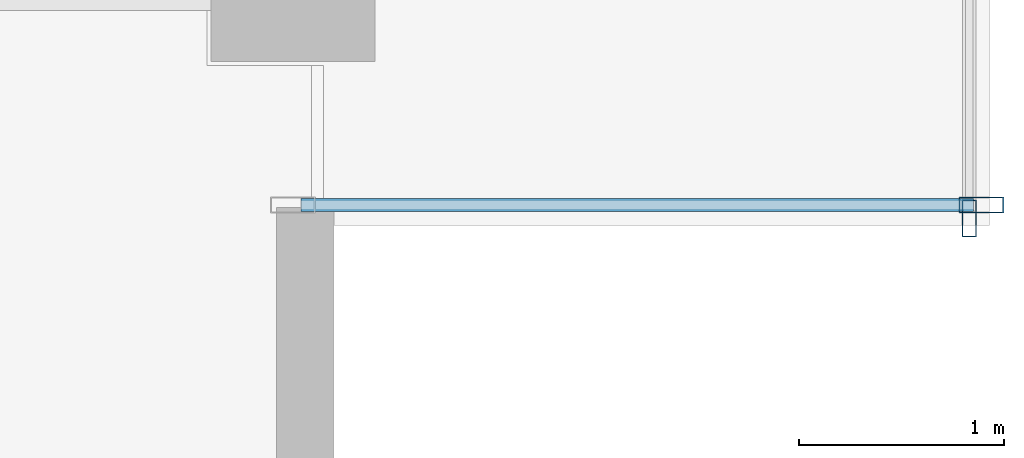
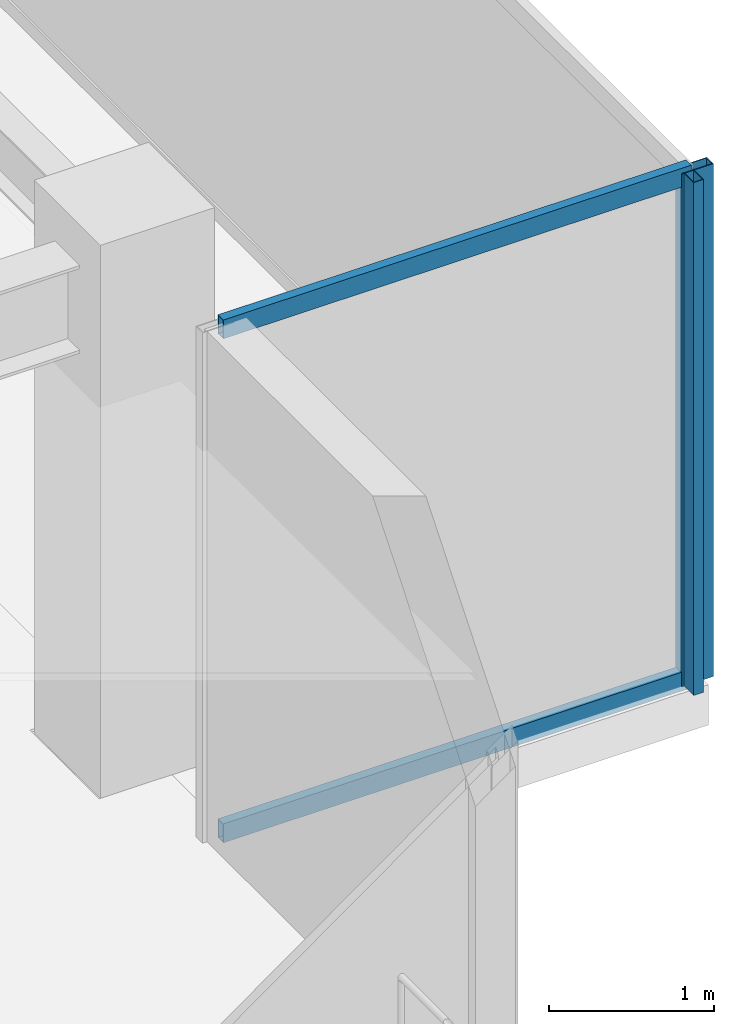
# One storey, part 22 of 35: 4 members, 2 elements without a shape of their own.
"""IFC4 building model written with IfcOpenShell, lengths in metres."""

from ifc_helpers import new_model, si_unit, direction, frame, origin, origin_2d, place, context, subcontext, project, spatial, hollow_rectangle, extrude, source, transform, mapped, material, layer, layer_set, material_profile, profile_set, type_object, type_shapes, element, aggregate, save


model = new_model("IFC4")

# Units and contexts
model_context = context("Model", 3, precision=1e-05, world=origin(), true_north=direction((0.0, 1.0)))
body_context = subcontext(model_context, "Body", "Model", "MODEL_VIEW")
ifc_project = project(units=[si_unit("LENGTHUNIT", "METRE"), si_unit("AREAUNIT", "SQUARE_METRE"), si_unit("VOLUMEUNIT", "CUBIC_METRE"), si_unit("PLANEANGLEUNIT", "RADIAN"), si_unit("MASSUNIT", "GRAM", prefix="KILO")], contexts=[model_context])

# Site, building, storey
site_placement = place(None, origin())
site = spatial("IfcSite", under=ifc_project, at=site_placement, CompositionType="ELEMENT")
building_placement = place(site_placement, origin())
building = spatial("IfcBuilding", under=site, at=building_placement, Name="Haelvirn Gate Laboratories", CompositionType="ELEMENT")
storey_placement = place(building_placement, frame((0.0, 0.0, 283.39990234375)))
storey = spatial("IfcBuildingStorey", under=building, at=storey_placement, Name="L68", CompositionType="ELEMENT", Elevation=283.39990234375)

# Curtain wall, members
ifc_material_1 = material(Name="Anodised bronze unitised aluminium & triple low-E glass", Category="aluminium")
ifc_layer_1 = layer(ifc_material_1, 0.181884765625, Name="CW-SYS-5")
ifc_layer_set_1 = layer_set([ifc_layer_1], Name="Anodised bronze unitised aluminium & triple low-E glass")
curtain_wall_type_1 = type_object("IfcCurtainWallType", Name="CW-SYS-5", PredefinedType="NOTDEFINED", material=ifc_layer_set_1)
curtain_wall_1_placement = place(storey_placement, origin())
curtain_wall_1 = element("IfcCurtainWall", 1, at=curtain_wall_1_placement, inside=storey, type_object=curtain_wall_type_1, Name="L68 Unitised Curtain Wall CW-L68-P0-E06-1", PredefinedType="NOTDEFINED")
ifc_material_2 = material(Name="Extruded aluminium 6063-T6 (anodised bronze)", Category="aluminium")
ifc_material_profile_1 = material_profile(ifc_material_2, hollow_rectangle(XDim=0.06494140625, YDim=0.139892578125, WallThickness=0.00390625, at=origin_2d()), Name="CWT-140x65x4")
ifc_profile_set_1 = profile_set([ifc_material_profile_1], Name="Extruded aluminium 6063-T6 (anodised bronze)")
member_type_1 = type_object("IfcMemberType", Name="CWT-T140", PredefinedType="USERDEFINED", material=ifc_profile_set_1)
shared_shape_1 = source(origin(), body_context, "Body", "SweptSolid", [
    extrude(hollow_rectangle(XDim=0.06494140625, YDim=0.139892578125, WallThickness=0.00390625, at=origin_2d()), origin(), (0.0, 0.0, 1.0), 3.280029296875),
])
type_shapes(member_type_1, [shared_shape_1])
member_1_placement = place(storey_placement, frame((67.43994140625, 5.89990234375, 0.03271484375), z_axis=(1.0, 0.0, 0.0), x_axis=(0.0, 1.0, 0.0)))
member_1 = element("IfcMember", 2, at=member_1_placement, type_object=member_type_1, Name="CW5 transom 1.1", ObjectType="TRANSOM", PredefinedType="USERDEFINED", context=body_context, shape_type="MappedRepresentation", body=[
    mapped(shared_shape_1, transform((0.0, 0.0, 0.0), scale=1.0)),
])
member_2_placement = place(storey_placement, frame((67.43994140625, 5.89990234375, 3.767578125), z_axis=(1.0, 0.0, 0.0), x_axis=(0.0, 1.0, 0.0)))
member_2 = element("IfcMember", 3, at=member_2_placement, type_object=member_type_1, Name="CW5 transom 1.2", ObjectType="TRANSOM", PredefinedType="USERDEFINED", context=body_context, shape_type="MappedRepresentation", body=[
    mapped(shared_shape_1, transform((0.0, 0.0, 0.0), scale=1.0)),
])

# Curtain wall, member
ifc_layer_2 = layer(ifc_material_1, 0.176025390625, Name="CW-SYS-4")
ifc_layer_set_2 = layer_set([ifc_layer_2], Name="Anodised bronze unitised aluminium & triple low-E glass")
curtain_wall_type_2 = type_object("IfcCurtainWallType", Name="CW-SYS-4", PredefinedType="NOTDEFINED", material=ifc_layer_set_2)
curtain_wall_2_placement = place(storey_placement, origin())
curtain_wall_2 = element("IfcCurtainWall", 4, at=curtain_wall_2_placement, inside=storey, type_object=curtain_wall_type_2, Name="L68 Unitised Curtain Wall CW-L68-P0-E07", PredefinedType="NOTDEFINED")
ifc_material_profile_2 = material_profile(ifc_material_2, hollow_rectangle(XDim=0.070068359375, YDim=0.179931640625, WallThickness=0.0048828125, at=origin_2d()), Name="CWM-180x70x5")
ifc_profile_set_2 = profile_set([ifc_material_profile_2], Name="Extruded aluminium 6063-T6 (anodised bronze)")
member_type_2 = type_object("IfcMemberType", Name="CWM-T180", PredefinedType="MULLION", material=ifc_profile_set_2)
shared_shape_2 = source(origin(), body_context, "Body", "SweptSolid", [
    extrude(hollow_rectangle(XDim=0.070068359375, YDim=0.179931640625, WallThickness=0.0048828125, at=origin_2d()), origin(), (0.0, 0.0, 1.0), 3.800048828125),
])
type_shapes(member_type_2, [shared_shape_2])
member_3_placement = place(storey_placement, frame((70.699951171875, 5.8349609375, 0.0), z_axis=(0.0, 0.0, 1.0), x_axis=(-1.0, 0.0, 0.0)))
member_3 = element("IfcMember", 5, at=member_3_placement, type_object=member_type_2, Name="CW4 mullion 1", PredefinedType="MULLION", context=body_context, shape_type="MappedRepresentation", body=[
    mapped(shared_shape_2, transform((0.0, 0.0, 0.0), scale=1.0)),
])
aggregate(curtain_wall_2, [member_3])

# Member
ifc_material_profile_3 = material_profile(ifc_material_2, hollow_rectangle(XDim=0.080078125, YDim=0.219970703125, WallThickness=0.006103515625, at=origin_2d()), Name="CWM-220x80x6")
ifc_profile_set_3 = profile_set([ifc_material_profile_3], Name="Extruded aluminium 6063-T6 (anodised bronze)")
member_type_3 = type_object("IfcMemberType", Name="CWM-T220", PredefinedType="MULLION", material=ifc_profile_set_3)
shared_shape_3 = source(origin(), body_context, "Body", "SweptSolid", [
    extrude(hollow_rectangle(XDim=0.080078125, YDim=0.219970703125, WallThickness=0.006103515625, at=origin_2d()), origin(), (0.0, 0.0, 1.0), 3.800048828125),
])
type_shapes(member_type_3, [shared_shape_3])
member_4_placement = place(storey_placement, frame((70.760009765625, 5.89990234375, 0.0), z_axis=(0.0, 0.0, 1.0), x_axis=(0.0, 1.0, 0.0)))
member_4 = element("IfcMember", 6, at=member_4_placement, type_object=member_type_3, Name="CW5 mullion 2", PredefinedType="MULLION", context=body_context, shape_type="MappedRepresentation", body=[
    mapped(shared_shape_3, transform((0.0, 0.0, 0.0), scale=1.0)),
])

aggregate(curtain_wall_1, [member_4, member_1, member_2])

save(model, "model.ifc")
